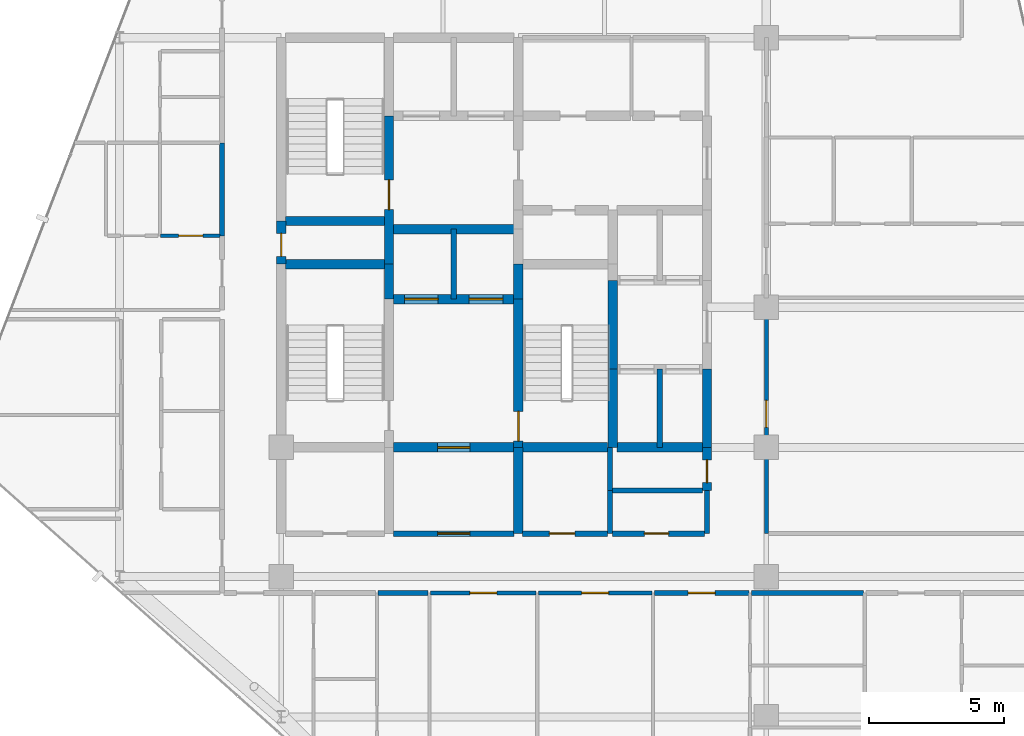
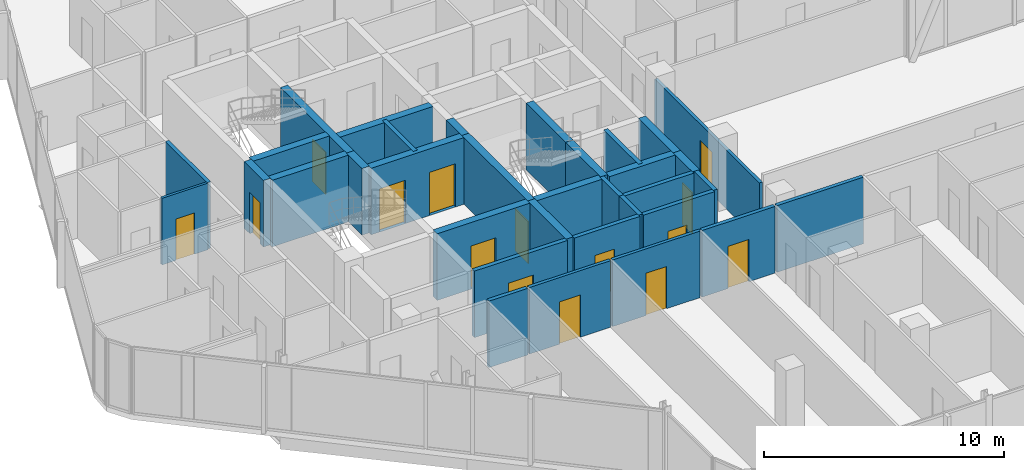
# One storey, part 24 of 29: 34 walls, 15 doors, 15 openings.
"""IFC4 building model written with IfcOpenShell, lengths in metres."""

from ifc_helpers import new_model, si_unit, direction, frame, frame_2d, origin, place, context, subcontext, project, spatial, rectangle, extrude, material, layer, layer_set, type_object, element, fill, save


model = new_model("IFC4")

# Units and contexts
model_context = context("Model", 3, precision=1e-05, world=origin(), true_north=direction((0.0, 1.0)))
body_context = subcontext(model_context, "Body", "Model", "MODEL_VIEW")
ifc_project = project(units=[si_unit("LENGTHUNIT", "METRE"), si_unit("AREAUNIT", "SQUARE_METRE"), si_unit("VOLUMEUNIT", "CUBIC_METRE"), si_unit("PLANEANGLEUNIT", "RADIAN"), si_unit("MASSUNIT", "GRAM", prefix="KILO")], contexts=[model_context])

# Site, building, storey
site_placement = place(None, origin())
site = spatial("IfcSite", under=ifc_project, at=site_placement, CompositionType="ELEMENT")
building_placement = place(site_placement, origin())
building = spatial("IfcBuilding", under=site, at=building_placement, Name="Keshet Zoharim Tower", CompositionType="ELEMENT")
storey_placement = place(building_placement, frame((0.0, 0.0, 195.800048828125)))
storey = spatial("IfcBuildingStorey", under=building, at=storey_placement, Name="L48", CompositionType="ELEMENT", Elevation=195.800048828125)

# Wall, opening, door
ifc_material_1 = material(Name="Gypsum Plasterboard", Category="gypsum")
ifc_layer_1 = layer(ifc_material_1, 0.14990234375)
ifc_layer_set_1 = layer_set([ifc_layer_1], Name="Gypsum Plasterboard")
wall_type_1 = type_object("IfcWallType", Name="WL-CLIN-150", PredefinedType="STANDARD", material=ifc_layer_set_1)
wall_1_placement = place(storey_placement, frame((33.0, 19.510009765625, 0.0), z_axis=(0.0, 0.0, 1.0), x_axis=(0.0, 1.0, 0.0)))
wall_1 = element("IfcWall", 1, at=wall_1_placement, inside=storey, type_object=wall_type_1, Name="L48 Interior Wall 073", PredefinedType="STANDARD", context=body_context, shape_type="SweptSolid", body=[
    extrude(rectangle(XDim=8.719970703125, YDim=0.14990234375, at=frame_2d((4.35986328125, 0.0))), origin(), (0.0, 0.0, 1.0), 2.989990234375),
])
opening_1_placement = place(wall_1_placement, frame((3.930908203125, 0.0, 0.0)))
opening_1 = element("IfcOpeningElement", 2, at=opening_1_placement, cuts=wall_1, Name="Opening D-F310", PredefinedType="OPENING", context=body_context, shape_type="SweptSolid", body=[
    extrude(rectangle(XDim=1.0, YDim=2.14990234375, at=frame_2d((0.5, 1.074951171875))), frame((0.0, 0.0849609375, 0.0), z_axis=(0.0, -1.0, 0.0), x_axis=(1.0, 0.0, 0.0)), (0.0, 0.0, 1.0), 0.169921875),
])
ifc_material_2 = material(Name="Hardwood Timber", Category="wood")
door_type_1 = type_object("IfcDoorType", Name="DR-FD30-100", OperationType="NOTDEFINED", PredefinedType="DOOR", material=ifc_material_2)
door_1_placement = place(opening_1_placement, origin())
door_1 = element("IfcDoor", 3, at=door_1_placement, inside=storey, type_object=door_type_1, Name="L48 South East Residents Services Suite Door 2", OperationType="SINGLE_SWING_LEFT", OverallHeight=2.14990234375, OverallWidth=1.0, PredefinedType="DOOR", context=body_context, shape_type="SweptSolid", body=[
    extrude(rectangle(XDim=1.0, YDim=2.14990234375, at=frame_2d((0.5, 1.074951171875))), frame((0.0, 0.02490234375, 0.0), z_axis=(0.0, -1.0, 0.0), x_axis=(1.0, 0.0, 0.0)), (0.0, 0.0, 1.0), 0.050048828125),
])
fill(opening_1, door_1)

wall_2_placement = place(storey_placement, frame((20.544921875, 17.300048828125, 0.0), z_axis=(0.0, 0.0, 1.0), x_axis=(1.0, 0.0, 0.0)))
wall_2 = element("IfcWall", 4, at=wall_2_placement, inside=storey, type_object=wall_type_1, Name="L48 Interior Wall 121", PredefinedType="STANDARD", context=body_context, shape_type="SweptSolid", body=[
    extrude(rectangle(XDim=3.91015625, YDim=0.14990234375, at=frame_2d((1.955078125, 0.0))), origin(), (0.0, 0.0, 1.0), 3.389892578125),
])
opening_2_placement = place(wall_2_placement, frame((1.455078125, 0.0, 0.0)))
opening_2 = element("IfcOpeningElement", 5, at=opening_2_placement, cuts=wall_2, Name="Opening D-F310", PredefinedType="OPENING", context=body_context, shape_type="SweptSolid", body=[
    extrude(rectangle(XDim=1.0, YDim=2.14990234375, at=frame_2d((0.5, 1.074951171875))), frame((0.0, 0.0849609375, 0.0), z_axis=(0.0, -1.0, 0.0), x_axis=(1.0, 0.0, 0.0)), (0.0, 0.0, 1.0), 0.169921875),
])
door_2_placement = place(opening_2_placement, origin())
door_2 = element("IfcDoor", 6, at=door_2_placement, inside=storey, type_object=door_type_1, Name="L48 Residents Telework Office Door", OperationType="SINGLE_SWING_LEFT", OverallHeight=2.14990234375, OverallWidth=1.0, PredefinedType="DOOR", context=body_context, shape_type="SweptSolid", body=[
    extrude(rectangle(XDim=1.0, YDim=2.14990234375, at=frame_2d((0.5, 1.074951171875))), frame((0.0, 0.02490234375, 0.0), z_axis=(0.0, -1.0, 0.0), x_axis=(1.0, 0.0, 0.0)), (0.0, 0.0, 1.0), 0.050048828125),
])
fill(opening_2, door_2)

wall_3_placement = place(storey_placement, frame((24.544921875, 17.300048828125, 0.0), z_axis=(0.0, 0.0, 1.0), x_axis=(1.0, 0.0, 0.0)))
wall_3 = element("IfcWall", 7, at=wall_3_placement, inside=storey, type_object=wall_type_1, Name="L48 Interior Wall 122", PredefinedType="STANDARD", context=body_context, shape_type="SweptSolid", body=[
    extrude(rectangle(XDim=4.2099609375, YDim=0.14990234375, at=frame_2d((2.10498046875, 0.0))), origin(), (0.0, 0.0, 1.0), 3.389892578125),
])
opening_3_placement = place(wall_3_placement, frame((1.60498046875, 0.0, 0.0)))
opening_3 = element("IfcOpeningElement", 8, at=opening_3_placement, cuts=wall_3, Name="Opening D-F310", PredefinedType="OPENING", context=body_context, shape_type="SweptSolid", body=[
    extrude(rectangle(XDim=1.0, YDim=2.14990234375, at=frame_2d((0.5, 1.074951171875))), frame((0.0, 0.0849609375, 0.0), z_axis=(0.0, -1.0, 0.0), x_axis=(1.0, 0.0, 0.0)), (0.0, 0.0, 1.0), 0.169921875),
])
door_3_placement = place(opening_3_placement, origin())
door_3 = element("IfcDoor", 9, at=door_3_placement, inside=storey, type_object=door_type_1, Name="L48 Residents Meeting Room Door", OperationType="SINGLE_SWING_RIGHT", OverallHeight=2.14990234375, OverallWidth=1.0, PredefinedType="DOOR", context=body_context, shape_type="SweptSolid", body=[
    extrude(rectangle(XDim=1.0, YDim=2.14990234375, at=frame_2d((0.5, 1.074951171875))), frame((0.0, 0.02490234375, 0.0), z_axis=(0.0, -1.0, 0.0), x_axis=(1.0, 0.0, 0.0)), (0.0, 0.0, 1.0), 0.050048828125),
])
fill(opening_3, door_3)

ifc_material_3 = material(Name="Concrete C60/75", Category="concrete")
ifc_layer_2 = layer(ifc_material_3, 0.35009765625)
ifc_layer_set_2 = layer_set([ifc_layer_2], Name="Concrete C60/75")
wall_type_2 = type_object("IfcWallType", Name="WL-CORE-350", PredefinedType="SHEAR", material=ifc_layer_set_2)
wall_4_placement = place(storey_placement, frame((15.0, 29.5, 0.0), z_axis=(0.0, 0.0, 1.0), x_axis=(0.0, 1.0, 0.0)))
wall_4 = element("IfcWall", 10, at=wall_4_placement, inside=storey, type_object=wall_type_2, Name="L48 Core Shear Wall 018", PredefinedType="SHEAR", context=body_context, shape_type="SweptSolid", body=[
    extrude(rectangle(XDim=1.60009765625, YDim=0.35009765625, at=frame_2d((0.800048828125, 0.0))), origin(), (0.0, 0.0, 1.0), 3.389892578125),
])
opening_4_placement = place(wall_4_placement, frame((0.287109375, 0.0, 0.0)))
opening_4 = element("IfcOpeningElement", 11, at=opening_4_placement, cuts=wall_4, Name="Opening D-RS85", PredefinedType="OPENING", context=body_context, shape_type="SweptSolid", body=[
    extrude(rectangle(XDim=0.85009765625, YDim=2.10009765625, at=frame_2d((0.425048828125, 1.050048828125))), frame((0.0, 0.18505859375, 0.0), z_axis=(0.0, -1.0, 0.0), x_axis=(1.0, 0.0, 0.0)), (0.0, 0.0, 1.0), 0.3701171875),
])
door_type_2 = type_object("IfcDoorType", Name="DR-RIS-085", OperationType="NOTDEFINED", PredefinedType="DOOR", material=ifc_material_2)
door_4_placement = place(opening_4_placement, origin())
door_4 = element("IfcDoor", 12, at=door_4_placement, inside=storey, type_object=door_type_2, Name="L48 Electrical Riser Access Cupboard Door", OperationType="SINGLE_SWING_LEFT", OverallHeight=2.10009765625, OverallWidth=0.85009765625, PredefinedType="DOOR", context=body_context, shape_type="SweptSolid", body=[
    extrude(rectangle(XDim=0.85009765625, YDim=2.10009765625, at=frame_2d((0.425048828125, 1.050048828125))), frame((0.0, 0.02490234375, 0.0), z_axis=(0.0, -1.0, 0.0), x_axis=(1.0, 0.0, 0.0)), (0.0, 0.0, 1.0), 0.050048828125),
])
fill(opening_4, door_4)

# Wall
wall_5_placement = place(storey_placement, frame((19.0, 28.199951171875, 0.0), z_axis=(0.0, 0.0, 1.0), x_axis=(0.0, 1.0, 0.0)))
element("IfcWall", 13, at=wall_5_placement, inside=storey, type_object=wall_type_2, Name="L48 Core Shear Wall 030", PredefinedType="SHEAR", context=body_context, shape_type="SweptSolid", body=[
    extrude(rectangle(XDim=1.300048828125, YDim=0.35009765625, at=frame_2d((0.64990234375, 0.0))), origin(), (0.0, 0.0, 1.0), 3.389892578125),
])

# Wall, opening, door
wall_6_placement = place(storey_placement, frame((19.0, 29.5, 0.0), z_axis=(0.0, 0.0, 1.0), x_axis=(0.0, 1.0, 0.0)))
wall_6 = element("IfcWall", 14, at=wall_6_placement, inside=storey, type_object=wall_type_2, Name="L48 Core Shear Wall 031", PredefinedType="SHEAR", context=body_context, shape_type="SweptSolid", body=[
    extrude(rectangle(XDim=5.5, YDim=0.35009765625, at=frame_2d((2.75, 0.0))), origin(), (0.0, 0.0, 1.0), 3.389892578125),
])
opening_5_placement = place(wall_6_placement, frame((2.02490234375, 0.0, 0.0)))
opening_5 = element("IfcOpeningElement", 15, at=opening_5_placement, cuts=wall_6, Name="Opening D-F611", PredefinedType="OPENING", context=body_context, shape_type="SweptSolid", body=[
    extrude(rectangle(XDim=1.10009765625, YDim=2.14990234375, at=frame_2d((0.550048828125, 1.074951171875))), frame((0.0, 0.18505859375, 0.0), z_axis=(0.0, -1.0, 0.0), x_axis=(1.0, 0.0, 0.0)), (0.0, 0.0, 1.0), 0.3701171875),
])
door_type_3 = type_object("IfcDoorType", Name="DR-FD60-110", OperationType="NOTDEFINED", PredefinedType="DOOR", material=ifc_material_2)
door_5_placement = place(opening_5_placement, origin())
door_5 = element("IfcDoor", 16, at=door_5_placement, inside=storey, type_object=door_type_3, Name="L48 Exit Stair ST-02 Fire Door", OperationType="SINGLE_SWING_LEFT", OverallHeight=2.14990234375, OverallWidth=1.10009765625, PredefinedType="DOOR", context=body_context, shape_type="SweptSolid", body=[
    extrude(rectangle(XDim=1.10009765625, YDim=2.14990234375, at=frame_2d((0.550048828125, 1.074951171875))), frame((0.0, 0.02490234375, 0.0), z_axis=(0.0, -1.0, 0.0), x_axis=(1.0, 0.0, 0.0)), (0.0, 0.0, 1.0), 0.050048828125),
])
fill(opening_5, door_5)

# Wall
wall_7_placement = place(storey_placement, frame((23.800048828125, 19.5, 0.0), z_axis=(0.0, 0.0, 1.0), x_axis=(0.0, 1.0, 0.0)))
element("IfcWall", 17, at=wall_7_placement, inside=storey, type_object=wall_type_2, Name="L48 Core Shear Wall 037", PredefinedType="SHEAR", context=body_context, shape_type="SweptSolid", body=[
    extrude(rectangle(XDim=3.199951171875, YDim=0.35009765625, at=frame_2d((1.60009765625, 0.0))), origin(), (0.0, 0.0, 1.0), 3.389892578125),
])

# Wall, opening, door
wall_8_placement = place(storey_placement, frame((23.800048828125, 22.699951171875, 0.0), z_axis=(0.0, 0.0, 1.0), x_axis=(0.0, 1.0, 0.0)))
wall_8 = element("IfcWall", 18, at=wall_8_placement, inside=storey, type_object=wall_type_2, Name="L48 Core Shear Wall 038", PredefinedType="SHEAR", context=body_context, shape_type="SweptSolid", body=[
    extrude(rectangle(XDim=5.5, YDim=0.35009765625, at=frame_2d((2.75, 0.0))), origin(), (0.0, 0.0, 1.0), 3.389892578125),
])
opening_6_placement = place(wall_8_placement, frame((0.235107421875, 0.0, 0.0)))
opening_6 = element("IfcOpeningElement", 19, at=opening_6_placement, cuts=wall_8, Name="Opening D-F611", PredefinedType="OPENING", context=body_context, shape_type="SweptSolid", body=[
    extrude(rectangle(XDim=1.10009765625, YDim=2.14990234375, at=frame_2d((0.550048828125, 1.074951171875))), frame((0.0, 0.18505859375, 0.0), z_axis=(0.0, -1.0, 0.0), x_axis=(1.0, 0.0, 0.0)), (0.0, 0.0, 1.0), 0.3701171875),
])
door_6_placement = place(opening_6_placement, frame((1.10009765625, 0.0, 0.0), z_axis=(0.0, 0.0, 1.0), x_axis=(-1.0, 0.0, 0.0)))
door_6 = element("IfcDoor", 20, at=door_6_placement, inside=storey, type_object=door_type_3, Name="L48 Exit Stair ST-03 Fire Door", OperationType="SINGLE_SWING_RIGHT", OverallHeight=2.14990234375, OverallWidth=1.10009765625, PredefinedType="DOOR", context=body_context, shape_type="SweptSolid", body=[
    extrude(rectangle(XDim=1.10009765625, YDim=2.14990234375, at=frame_2d((0.550048828125, 1.074951171875))), frame((0.0, 0.02490234375, 0.0), z_axis=(0.0, -1.0, 0.0), x_axis=(1.0, 0.0, 0.0)), (0.0, 0.0, 1.0), 0.050048828125),
])
fill(opening_6, door_6)

# Walls
wall_9_placement = place(storey_placement, frame((23.800048828125, 28.199951171875, 0.0), z_axis=(0.0, 0.0, 1.0), x_axis=(0.0, 1.0, 0.0)))
element("IfcWall", 21, at=wall_9_placement, inside=storey, type_object=wall_type_2, Name="L48 Core Shear Wall 039", PredefinedType="SHEAR", context=body_context, shape_type="SweptSolid", body=[
    extrude(rectangle(XDim=1.300048828125, YDim=0.35009765625, at=frame_2d((0.64990234375, 0.0))), origin(), (0.0, 0.0, 1.0), 3.389892578125),
])
wall_10_placement = place(storey_placement, frame((27.300048828125, 22.699951171875, 0.0), z_axis=(0.0, 0.0, 1.0), x_axis=(0.0, 1.0, 0.0)))
element("IfcWall", 22, at=wall_10_placement, inside=storey, type_object=wall_type_2, Name="L48 Core Shear Wall 051", PredefinedType="SHEAR", context=body_context, shape_type="SweptSolid", body=[
    extrude(rectangle(XDim=2.900146484375, YDim=0.35009765625, at=frame_2d((1.4501953125, 0.0))), origin(), (0.0, 0.0, 1.0), 3.389892578125),
])
wall_11_placement = place(storey_placement, frame((27.300048828125, 25.60009765625, 0.0), z_axis=(0.0, 0.0, 1.0), x_axis=(0.0, 1.0, 0.0)))
element("IfcWall", 23, at=wall_11_placement, inside=storey, type_object=wall_type_2, Name="L48 Core Shear Wall 052", PredefinedType="SHEAR", context=body_context, shape_type="SweptSolid", body=[
    extrude(rectangle(XDim=3.2998046875, YDim=0.35009765625, at=frame_2d((1.64990234375, 0.0))), origin(), (0.0, 0.0, 1.0), 3.389892578125),
])

# Wall, opening, door
wall_12_placement = place(storey_placement, frame((30.800048828125, 21.10009765625, 0.0), z_axis=(0.0, 0.0, 1.0), x_axis=(0.0, 1.0, 0.0)))
wall_12 = element("IfcWall", 24, at=wall_12_placement, inside=storey, type_object=wall_type_2, Name="L48 Core Shear Wall 064", PredefinedType="SHEAR", context=body_context, shape_type="SweptSolid", body=[
    extrude(rectangle(XDim=1.599853515625, YDim=0.35009765625, at=frame_2d((0.7998046875, 0.0))), origin(), (0.0, 0.0, 1.0), 3.389892578125),
])
opening_7_placement = place(wall_12_placement, frame((0.287109375, 0.0, 0.0)))
opening_7 = element("IfcOpeningElement", 25, at=opening_7_placement, cuts=wall_12, Name="Opening D-RS85", PredefinedType="OPENING", context=body_context, shape_type="SweptSolid", body=[
    extrude(rectangle(XDim=0.85009765625, YDim=2.10009765625, at=frame_2d((0.425048828125, 1.050048828125))), frame((0.0, 0.18505859375, 0.0), z_axis=(0.0, -1.0, 0.0), x_axis=(1.0, 0.0, 0.0)), (0.0, 0.0, 1.0), 0.3701171875),
])
door_7_placement = place(opening_7_placement, origin())
door_7 = element("IfcDoor", 26, at=door_7_placement, inside=storey, type_object=door_type_2, Name="L48 Linen Store Door", OperationType="SINGLE_SWING_RIGHT", OverallHeight=2.10009765625, OverallWidth=0.85009765625, PredefinedType="DOOR", context=body_context, shape_type="SweptSolid", body=[
    extrude(rectangle(XDim=0.85009765625, YDim=2.10009765625, at=frame_2d((0.425048828125, 1.050048828125))), frame((0.0, 0.02490234375, 0.0), z_axis=(0.0, -1.0, 0.0), x_axis=(1.0, 0.0, 0.0)), (0.0, 0.0, 1.0), 0.050048828125),
])
fill(opening_7, door_7)

# Wall
wall_13_placement = place(storey_placement, frame((30.800048828125, 22.699951171875, 0.0), z_axis=(0.0, 0.0, 1.0), x_axis=(0.0, 1.0, 0.0)))
element("IfcWall", 27, at=wall_13_placement, inside=storey, type_object=wall_type_2, Name="L48 Core Shear Wall 065", PredefinedType="SHEAR", context=body_context, shape_type="SweptSolid", body=[
    extrude(rectangle(XDim=2.900146484375, YDim=0.35009765625, at=frame_2d((1.4501953125, 0.0))), origin(), (0.0, 0.0, 1.0), 3.389892578125),
])

# Wall, opening, door
wall_14_placement = place(storey_placement, frame((19.159912109375, 22.699951171875, 0.0), z_axis=(0.0, 0.0, 1.0), x_axis=(1.0, 0.0, 0.0)))
wall_14 = element("IfcWall", 28, at=wall_14_placement, inside=storey, type_object=wall_type_2, Name="L48 Core Shear Wall 142", PredefinedType="SHEAR", context=body_context, shape_type="SweptSolid", body=[
    extrude(rectangle(XDim=4.47998046875, YDim=0.35009765625, at=frame_2d((2.239990234375, 0.0))), origin(), (0.0, 0.0, 1.0), 3.389892578125),
])
opening_8_placement = place(wall_14_placement, frame((1.639892578125, 0.0, 0.0)))
opening_8 = element("IfcOpeningElement", 29, at=opening_8_placement, cuts=wall_14, Name="Opening D-F612", PredefinedType="OPENING", context=body_context, shape_type="SweptSolid", body=[
    extrude(rectangle(XDim=1.199951171875, YDim=2.199951171875, at=frame_2d((0.60009765625, 1.10009765625))), frame((0.0, 0.18505859375, 0.0), z_axis=(0.0, -1.0, 0.0), x_axis=(1.0, 0.0, 0.0)), (0.0, 0.0, 1.0), 0.3701171875),
])
door_type_4 = type_object("IfcDoorType", Name="DR-FD60-120", OperationType="NOTDEFINED", PredefinedType="DOOR", material=ifc_material_2)
door_8_placement = place(opening_8_placement, origin())
door_8 = element("IfcDoor", 30, at=door_8_placement, inside=storey, type_object=door_type_4, Name="L48 South Core Lobby Fire Door", OperationType="SINGLE_SWING_LEFT", OverallHeight=2.199951171875, OverallWidth=1.199951171875, PredefinedType="DOOR", context=body_context, shape_type="SweptSolid", body=[
    extrude(rectangle(XDim=1.199951171875, YDim=2.199951171875, at=frame_2d((0.60009765625, 1.10009765625))), frame((0.0, 0.02490234375, 0.0), z_axis=(0.0, -1.0, 0.0), x_axis=(1.0, 0.0, 0.0)), (0.0, 0.0, 1.0), 0.050048828125),
])
fill(opening_8, door_8)

# Walls
wall_15_placement = place(storey_placement, frame((23.9599609375, 22.699951171875, 0.0), z_axis=(0.0, 0.0, 1.0), x_axis=(1.0, 0.0, 0.0)))
element("IfcWall", 31, at=wall_15_placement, inside=storey, type_object=wall_type_2, Name="L48 Core Shear Wall 143", PredefinedType="SHEAR", context=body_context, shape_type="SweptSolid", body=[
    extrude(rectangle(XDim=3.155029296875, YDim=0.35009765625, at=frame_2d((1.57763671875, 0.0))), origin(), (0.0, 0.0, 1.0), 3.389892578125),
])
wall_16_placement = place(storey_placement, frame((27.4599609375, 22.699951171875, 0.0), z_axis=(0.0, 0.0, 1.0), x_axis=(1.0, 0.0, 0.0)))
element("IfcWall", 32, at=wall_16_placement, inside=storey, type_object=wall_type_2, Name="L48 Core Shear Wall 144", PredefinedType="SHEAR", context=body_context, shape_type="SweptSolid", body=[
    extrude(rectangle(XDim=3.179931640625, YDim=0.35009765625, at=frame_2d((1.58984375, 0.0))), origin(), (0.0, 0.0, 1.0), 3.389892578125),
])

# Wall, openings, doors
wall_17_placement = place(storey_placement, frame((19.159912109375, 28.199951171875, 0.0), z_axis=(0.0, 0.0, 1.0), x_axis=(1.0, 0.0, 0.0)))
wall_17 = element("IfcWall", 33, at=wall_17_placement, inside=storey, type_object=wall_type_2, Name="L48 Core Shear Wall 152", PredefinedType="SHEAR", context=body_context, shape_type="SweptSolid", body=[
    extrude(rectangle(XDim=4.47998046875, YDim=0.35009765625, at=frame_2d((2.239990234375, 0.0))), origin(), (0.0, 0.0, 1.0), 3.389892578125),
])
opening_9_placement = place(wall_17_placement, frame((0.4150390625, 0.0, 0.0)))
opening_9 = element("IfcOpeningElement", 34, at=opening_9_placement, cuts=wall_17, Name="Opening LD-01", PredefinedType="OPENING", context=body_context, shape_type="SweptSolid", body=[
    extrude(rectangle(XDim=1.25, YDim=2.199951171875, at=frame_2d((0.625, 1.10009765625))), frame((0.0, 0.18505859375, 0.0), z_axis=(0.0, -1.0, 0.0), x_axis=(1.0, 0.0, 0.0)), (0.0, 0.0, 1.0), 0.3701171875),
])
opening_10_placement = place(wall_17_placement, frame((2.81494140625, 0.0, 0.0)))
opening_10 = element("IfcOpeningElement", 35, at=opening_10_placement, cuts=wall_17, Name="Opening LD-01", PredefinedType="OPENING", context=body_context, shape_type="SweptSolid", body=[
    extrude(rectangle(XDim=1.25, YDim=2.199951171875, at=frame_2d((0.625, 1.10009765625))), frame((0.0, 0.18505859375, 0.0), z_axis=(0.0, -1.0, 0.0), x_axis=(1.0, 0.0, 0.0)), (0.0, 0.0, 1.0), 0.3701171875),
])
ifc_material_4 = material(Name="Steel S355", Category="steel")
door_type_5 = type_object("IfcDoorType", Name="DR-LD01-125", OperationType="DOUBLE_DOOR_SLIDING", PredefinedType="DOOR", material=ifc_material_4)
door_9_placement = place(opening_9_placement, origin())
door_9 = element("IfcDoor", 36, at=door_9_placement, inside=storey, type_object=door_type_5, Name="L48 Passenger Lift Landing Door LF-09", OperationType="DOUBLE_DOOR_SLIDING", OverallHeight=2.199951171875, OverallWidth=1.25, PredefinedType="DOOR", context=body_context, shape_type="SweptSolid", body=[
    extrude(rectangle(XDim=1.25, YDim=2.199951171875, at=frame_2d((0.625, 1.10009765625))), frame((0.0, 0.02490234375, 0.0), z_axis=(0.0, -1.0, 0.0), x_axis=(1.0, 0.0, 0.0)), (0.0, 0.0, 1.0), 0.050048828125),
])
fill(opening_9, door_9)
door_10_placement = place(opening_10_placement, origin())
door_10 = element("IfcDoor", 37, at=door_10_placement, inside=storey, type_object=door_type_5, Name="L48 Passenger Lift Landing Door LF-10", OperationType="DOUBLE_DOOR_SLIDING", OverallHeight=2.199951171875, OverallWidth=1.25, PredefinedType="DOOR", context=body_context, shape_type="SweptSolid", body=[
    extrude(rectangle(XDim=1.25, YDim=2.199951171875, at=frame_2d((0.625, 1.10009765625))), frame((0.0, 0.02490234375, 0.0), z_axis=(0.0, -1.0, 0.0), x_axis=(1.0, 0.0, 0.0)), (0.0, 0.0, 1.0), 0.050048828125),
])
fill(opening_10, door_10)

# Walls
wall_18_placement = place(storey_placement, frame((15.159912109375, 29.5, 0.0), z_axis=(0.0, 0.0, 1.0), x_axis=(1.0, 0.0, 0.0)))
element("IfcWall", 38, at=wall_18_placement, inside=storey, type_object=wall_type_2, Name="L48 Core Shear Wall 155", PredefinedType="SHEAR", context=body_context, shape_type="SweptSolid", body=[
    extrude(rectangle(XDim=3.68017578125, YDim=0.35009765625, at=frame_2d((1.840087890625, 0.0))), origin(), (0.0, 0.0, 1.0), 3.389892578125),
])
wall_19_placement = place(storey_placement, frame((19.159912109375, 30.800048828125, 0.0), z_axis=(0.0, 0.0, 1.0), x_axis=(1.0, 0.0, 0.0)))
element("IfcWall", 39, at=wall_19_placement, inside=storey, type_object=wall_type_2, Name="L48 Core Shear Wall 159", PredefinedType="SHEAR", context=body_context, shape_type="SweptSolid", body=[
    extrude(rectangle(XDim=4.47998046875, YDim=0.35009765625, at=frame_2d((2.239990234375, 0.0))), origin(), (0.0, 0.0, 1.0), 3.389892578125),
])
wall_20_placement = place(storey_placement, frame((15.159912109375, 31.10009765625, 0.0), z_axis=(0.0, 0.0, 1.0), x_axis=(1.0, 0.0, 0.0)))
element("IfcWall", 40, at=wall_20_placement, inside=storey, type_object=wall_type_2, Name="L48 Core Shear Wall 163", PredefinedType="SHEAR", context=body_context, shape_type="SweptSolid", body=[
    extrude(rectangle(XDim=3.68017578125, YDim=0.35009765625, at=frame_2d((1.840087890625, 0.0))), origin(), (0.0, 0.0, 1.0), 3.389892578125),
])
ifc_layer_3 = layer(ifc_material_1, 0.179931640625)
ifc_layer_set_3 = layer_set([ifc_layer_3], Name="Gypsum Plasterboard")
wall_type_3 = type_object("IfcWallType", Name="WL-CORR-180", PredefinedType="STANDARD", material=ifc_layer_set_3)
wall_21_placement = place(storey_placement, frame((12.800048828125, 30.5400390625, 0.0), z_axis=(0.0, 0.0, 1.0), x_axis=(0.0, 1.0, 0.0)))
element("IfcWall", 41, at=wall_21_placement, inside=storey, type_object=wall_type_3, Name="L48 Interior Wall 012", PredefinedType="STANDARD", context=body_context, shape_type="SweptSolid", body=[
    extrude(rectangle(XDim=3.4599609375, YDim=0.179931640625, at=frame_2d((1.72998046875, 0.0))), origin(), (0.0, 0.0, 1.0), 3.389892578125),
])
wall_22_placement = place(storey_placement, frame((18.594970703125, 17.300048828125, 0.0), z_axis=(0.0, 0.0, 1.0), x_axis=(1.0, 0.0, 0.0)))
element("IfcWall", 42, at=wall_22_placement, inside=storey, type_object=wall_type_3, Name="L48 Interior Wall 120", PredefinedType="STANDARD", context=body_context, shape_type="SweptSolid", body=[
    extrude(rectangle(XDim=1.860107421875, YDim=0.179931640625, at=frame_2d((0.93017578125, 0.0))), origin(), (0.0, 0.0, 1.0), 3.389892578125),
])

# Wall, opening, door
wall_23_placement = place(storey_placement, frame((28.844970703125, 17.300048828125, 0.0), z_axis=(0.0, 0.0, 1.0), x_axis=(1.0, 0.0, 0.0)))
wall_23 = element("IfcWall", 43, at=wall_23_placement, inside=storey, type_object=wall_type_3, Name="L48 Interior Wall 123", PredefinedType="STANDARD", context=body_context, shape_type="SweptSolid", body=[
    extrude(rectangle(XDim=3.510009765625, YDim=0.179931640625, at=frame_2d((1.7548828125, 0.0))), origin(), (0.0, 0.0, 1.0), 3.389892578125),
])
opening_11_placement = place(wall_23_placement, frame((1.2548828125, 0.0, 0.0)))
opening_11 = element("IfcOpeningElement", 44, at=opening_11_placement, cuts=wall_23, Name="Opening D-F310", PredefinedType="OPENING", context=body_context, shape_type="SweptSolid", body=[
    extrude(rectangle(XDim=1.0, YDim=2.14990234375, at=frame_2d((0.5, 1.074951171875))), frame((0.0, 0.10009765625, 0.0), z_axis=(0.0, -1.0, 0.0), x_axis=(1.0, 0.0, 0.0)), (0.0, 0.0, 1.0), 0.199951171875),
])
door_11_placement = place(opening_11_placement, origin())
door_11 = element("IfcDoor", 45, at=door_11_placement, inside=storey, type_object=door_type_1, Name="Apartment 4802 Entrance Door", OperationType="SINGLE_SWING_LEFT", OverallHeight=2.14990234375, OverallWidth=1.0, PredefinedType="DOOR", context=body_context, shape_type="SweptSolid", body=[
    extrude(rectangle(XDim=1.0, YDim=2.14990234375, at=frame_2d((0.5, 1.074951171875))), frame((0.0, 0.02490234375, 0.0), z_axis=(0.0, -1.0, 0.0), x_axis=(1.0, 0.0, 0.0)), (0.0, 0.0, 1.0), 0.050048828125),
])
fill(opening_11, door_11)

# Walls
wall_24_placement = place(storey_placement, frame((32.445068359375, 17.300048828125, 0.0), z_axis=(0.0, 0.0, 1.0), x_axis=(1.0, 0.0, 0.0)))
element("IfcWall", 46, at=wall_24_placement, inside=storey, type_object=wall_type_3, Name="L48 Interior Wall 124", PredefinedType="STANDARD", context=body_context, shape_type="SweptSolid", body=[
    extrude(rectangle(XDim=4.159912109375, YDim=0.179931640625, at=frame_2d((2.080078125, 0.0))), origin(), (0.0, 0.0, 1.0), 3.389892578125),
])
ifc_material_5 = material(Name="Concrete C50/60", Category="concrete")
ifc_layer_4 = layer(ifc_material_5, 0.199951171875)
ifc_layer_set_4 = layer_set([ifc_layer_4], Name="Concrete C50/60")
wall_type_4 = type_object("IfcWallType", Name="WL-FIRE-200", PredefinedType="STANDARD", material=ifc_layer_set_4)
wall_25_placement = place(storey_placement, frame((21.39990234375, 28.199951171875, 0.0), z_axis=(0.0, 0.0, 1.0), x_axis=(0.0, 1.0, 0.0)))
element("IfcWall", 47, at=wall_25_placement, inside=storey, type_object=wall_type_4, Name="L48 Interior Wall 035", PredefinedType="STANDARD", context=body_context, shape_type="SweptSolid", body=[
    extrude(rectangle(XDim=2.60009765625, YDim=0.199951171875, at=frame_2d((1.300048828125, 0.0))), origin(), (0.0, 0.0, 1.0), 3.389892578125),
])
wall_26_placement = place(storey_placement, frame((27.199951171875, 19.5, 0.0), z_axis=(0.0, 0.0, 1.0), x_axis=(0.0, 1.0, 0.0)))
element("IfcWall", 48, at=wall_26_placement, inside=storey, type_object=wall_type_4, Name="L48 Interior Wall 049", PredefinedType="STANDARD", context=body_context, shape_type="SweptSolid", body=[
    extrude(rectangle(XDim=1.60009765625, YDim=0.199951171875, at=frame_2d((0.800048828125, 0.0))), origin(), (0.0, 0.0, 1.0), 3.389892578125),
])
wall_27_placement = place(storey_placement, frame((27.199951171875, 21.10009765625, 0.0), z_axis=(0.0, 0.0, 1.0), x_axis=(0.0, 1.0, 0.0)))
element("IfcWall", 49, at=wall_27_placement, inside=storey, type_object=wall_type_4, Name="L48 Interior Wall 050", PredefinedType="STANDARD", context=body_context, shape_type="SweptSolid", body=[
    extrude(rectangle(XDim=1.599853515625, YDim=0.199951171875, at=frame_2d((0.7998046875, 0.0))), origin(), (0.0, 0.0, 1.0), 3.389892578125),
])
wall_28_placement = place(storey_placement, frame((29.050048828125, 22.699951171875, 0.0), z_axis=(0.0, 0.0, 1.0), x_axis=(0.0, 1.0, 0.0)))
element("IfcWall", 50, at=wall_28_placement, inside=storey, type_object=wall_type_4, Name="L48 Interior Wall 058", PredefinedType="STANDARD", context=body_context, shape_type="SweptSolid", body=[
    extrude(rectangle(XDim=2.900146484375, YDim=0.199951171875, at=frame_2d((1.4501953125, 0.0))), origin(), (0.0, 0.0, 1.0), 3.389892578125),
])
wall_29_placement = place(storey_placement, frame((30.800048828125, 19.5, 0.0), z_axis=(0.0, 0.0, 1.0), x_axis=(0.0, 1.0, 0.0)))
element("IfcWall", 51, at=wall_29_placement, inside=storey, type_object=wall_type_4, Name="L48 Interior Wall 063", PredefinedType="STANDARD", context=body_context, shape_type="SweptSolid", body=[
    extrude(rectangle(XDim=1.60009765625, YDim=0.199951171875, at=frame_2d((0.800048828125, 0.0))), origin(), (0.0, 0.0, 1.0), 3.389892578125),
])

# Wall, opening, door
wall_30_placement = place(storey_placement, frame((19.159912109375, 19.5, 0.0), z_axis=(0.0, 0.0, 1.0), x_axis=(1.0, 0.0, 0.0)))
wall_30 = element("IfcWall", 52, at=wall_30_placement, inside=storey, type_object=wall_type_4, Name="L48 Interior Wall 133", PredefinedType="STANDARD", context=body_context, shape_type="SweptSolid", body=[
    extrude(rectangle(XDim=4.47998046875, YDim=0.199951171875, at=frame_2d((2.239990234375, 0.0))), origin(), (0.0, 0.0, 1.0), 3.389892578125),
])
opening_12_placement = place(wall_30_placement, frame((1.639892578125, 0.0, 0.0)))
opening_12 = element("IfcOpeningElement", 53, at=opening_12_placement, cuts=wall_30, Name="Opening D-F612", PredefinedType="OPENING", context=body_context, shape_type="SweptSolid", body=[
    extrude(rectangle(XDim=1.199951171875, YDim=2.199951171875, at=frame_2d((0.60009765625, 1.10009765625))), frame((0.0, 0.10986328125, 0.0), z_axis=(0.0, -1.0, 0.0), x_axis=(1.0, 0.0, 0.0)), (0.0, 0.0, 1.0), 0.219970703125),
])
door_12_placement = place(opening_12_placement, origin())
door_12 = element("IfcDoor", 54, at=door_12_placement, inside=storey, type_object=door_type_4, Name="L48 South Vestibule Corridor Door", OperationType="SINGLE_SWING_LEFT", OverallHeight=2.199951171875, OverallWidth=1.199951171875, PredefinedType="DOOR", context=body_context, shape_type="SweptSolid", body=[
    extrude(rectangle(XDim=1.199951171875, YDim=2.199951171875, at=frame_2d((0.60009765625, 1.10009765625))), frame((0.0, 0.02490234375, 0.0), z_axis=(0.0, -1.0, 0.0), x_axis=(1.0, 0.0, 0.0)), (0.0, 0.0, 1.0), 0.050048828125),
])
fill(opening_12, door_12)

wall_31_placement = place(storey_placement, frame((23.9599609375, 19.5, 0.0), z_axis=(0.0, 0.0, 1.0), x_axis=(1.0, 0.0, 0.0)))
wall_31 = element("IfcWall", 55, at=wall_31_placement, inside=storey, type_object=wall_type_4, Name="L48 Interior Wall 134", PredefinedType="STANDARD", context=body_context, shape_type="SweptSolid", body=[
    extrude(rectangle(XDim=3.155029296875, YDim=0.199951171875, at=frame_2d((1.57763671875, 0.0))), origin(), (0.0, 0.0, 1.0), 3.389892578125),
])
opening_13_placement = place(wall_31_placement, frame((0.990966796875, 0.0, 0.0)))
opening_13 = element("IfcOpeningElement", 56, at=opening_13_placement, cuts=wall_31, Name="Opening D-F695", PredefinedType="OPENING", context=body_context, shape_type="SweptSolid", body=[
    extrude(rectangle(XDim=0.949951171875, YDim=2.14990234375, at=frame_2d((0.47509765625, 1.074951171875))), frame((0.0, 0.10986328125, 0.0), z_axis=(0.0, -1.0, 0.0), x_axis=(1.0, 0.0, 0.0)), (0.0, 0.0, 1.0), 0.219970703125),
])
door_type_6 = type_object("IfcDoorType", Name="DR-FD60-095", OperationType="NOTDEFINED", PredefinedType="DOOR", material=ifc_material_2)
door_13_placement = place(opening_13_placement, origin())
door_13 = element("IfcDoor", 57, at=door_13_placement, inside=storey, type_object=door_type_6, Name="L48 Utility Room Door", OperationType="SINGLE_SWING_RIGHT", OverallHeight=2.14990234375, OverallWidth=0.949951171875, PredefinedType="DOOR", context=body_context, shape_type="SweptSolid", body=[
    extrude(rectangle(XDim=0.949951171875, YDim=2.14990234375, at=frame_2d((0.47509765625, 1.074951171875))), frame((0.0, 0.02490234375, 0.0), z_axis=(0.0, -1.0, 0.0), x_axis=(1.0, 0.0, 0.0)), (0.0, 0.0, 1.0), 0.050048828125),
])
fill(opening_13, door_13)

wall_32_placement = place(storey_placement, frame((27.284912109375, 19.5, 0.0), z_axis=(0.0, 0.0, 1.0), x_axis=(1.0, 0.0, 0.0)))
wall_32 = element("IfcWall", 58, at=wall_32_placement, inside=storey, type_object=wall_type_4, Name="L48 Interior Wall 135", PredefinedType="STANDARD", context=body_context, shape_type="SweptSolid", body=[
    extrude(rectangle(XDim=3.43017578125, YDim=0.199951171875, at=frame_2d((1.715087890625, 0.0))), origin(), (0.0, 0.0, 1.0), 3.389892578125),
])
opening_14_placement = place(wall_32_placement, frame((1.19189453125, 0.0, 0.0)))
opening_14 = element("IfcOpeningElement", 59, at=opening_14_placement, cuts=wall_32, Name="Opening D-F690", PredefinedType="OPENING", context=body_context, shape_type="SweptSolid", body=[
    extrude(rectangle(XDim=0.89990234375, YDim=2.14990234375, at=frame_2d((0.449951171875, 1.074951171875))), frame((0.0, 0.10986328125, 0.0), z_axis=(0.0, -1.0, 0.0), x_axis=(1.0, 0.0, 0.0)), (0.0, 0.0, 1.0), 0.219970703125),
])
door_type_7 = type_object("IfcDoorType", Name="DR-FD60-090", OperationType="NOTDEFINED", PredefinedType="DOOR", material=ifc_material_2)
door_14_placement = place(opening_14_placement, origin())
door_14 = element("IfcDoor", 60, at=door_14_placement, inside=storey, type_object=door_type_7, Name="L48 Valve Room Door", OperationType="SINGLE_SWING_LEFT", OverallHeight=2.14990234375, OverallWidth=0.89990234375, PredefinedType="DOOR", context=body_context, shape_type="SweptSolid", body=[
    extrude(rectangle(XDim=0.89990234375, YDim=2.14990234375, at=frame_2d((0.449951171875, 1.074951171875))), frame((0.0, 0.02490234375, 0.0), z_axis=(0.0, -1.0, 0.0), x_axis=(1.0, 0.0, 0.0)), (0.0, 0.0, 1.0), 0.050048828125),
])
fill(opening_14, door_14)

# Wall
wall_33_placement = place(storey_placement, frame((27.284912109375, 21.10009765625, 0.0), z_axis=(0.0, 0.0, 1.0), x_axis=(1.0, 0.0, 0.0)))
element("IfcWall", 61, at=wall_33_placement, inside=storey, type_object=wall_type_4, Name="L48 Interior Wall 140", PredefinedType="STANDARD", context=body_context, shape_type="SweptSolid", body=[
    extrude(rectangle(XDim=3.35498046875, YDim=0.199951171875, at=frame_2d((1.677490234375, 0.0))), origin(), (0.0, 0.0, 1.0), 3.389892578125),
])

# Wall, opening, door
ifc_layer_5 = layer(ifc_material_1, 0.1201171875)
ifc_layer_set_5 = layer_set([ifc_layer_5], Name="Gypsum Plasterboard")
wall_type_5 = type_object("IfcWallType", Name="WL-WET-120", PredefinedType="PARTITIONING", material=ifc_layer_set_5)
wall_34_placement = place(storey_placement, frame((10.52294921875, 30.550048828125, 0.0), z_axis=(0.0, 0.0, 1.0), x_axis=(1.0, 0.0, 0.0)))
wall_34 = element("IfcWall", 62, at=wall_34_placement, inside=storey, type_object=wall_type_5, Name="L48 Interior Wall 158", PredefinedType="PARTITIONING", context=body_context, shape_type="SweptSolid", body=[
    extrude(rectangle(XDim=2.2021484375, YDim=0.1201171875, at=frame_2d((1.10107421875, 0.0))), origin(), (0.0, 0.0, 1.0), 3.389892578125),
])
opening_15_placement = place(wall_34_placement, frame((0.666015625, 0.0, 0.0)))
opening_15 = element("IfcOpeningElement", 63, at=opening_15_placement, cuts=wall_34, Name="Opening D-WT90", PredefinedType="OPENING", context=body_context, shape_type="SweptSolid", body=[
    extrude(rectangle(XDim=0.89990234375, YDim=2.10009765625, at=frame_2d((0.449951171875, 1.050048828125))), frame((0.0, 0.070068359375, 0.0), z_axis=(0.0, -1.0, 0.0), x_axis=(1.0, 0.0, 0.0)), (0.0, 0.0, 1.0), 0.14013671875),
])
door_type_8 = type_object("IfcDoorType", Name="DR-WET-090", OperationType="NOTDEFINED", PredefinedType="DOOR", material=ifc_material_2)
door_15_placement = place(opening_15_placement, origin())
door_15 = element("IfcDoor", 64, at=door_15_placement, inside=storey, type_object=door_type_8, Name="Apartment 4809 Bathroom Door", OperationType="SINGLE_SWING_LEFT", OverallHeight=2.10009765625, OverallWidth=0.89990234375, PredefinedType="DOOR", context=body_context, shape_type="SweptSolid", body=[
    extrude(rectangle(XDim=0.89990234375, YDim=2.10009765625, at=frame_2d((0.449951171875, 1.050048828125))), frame((0.0, 0.02490234375, 0.0), z_axis=(0.0, -1.0, 0.0), x_axis=(1.0, 0.0, 0.0)), (0.0, 0.0, 1.0), 0.050048828125),
])
fill(opening_15, door_15)

save(model, "model.ifc")
